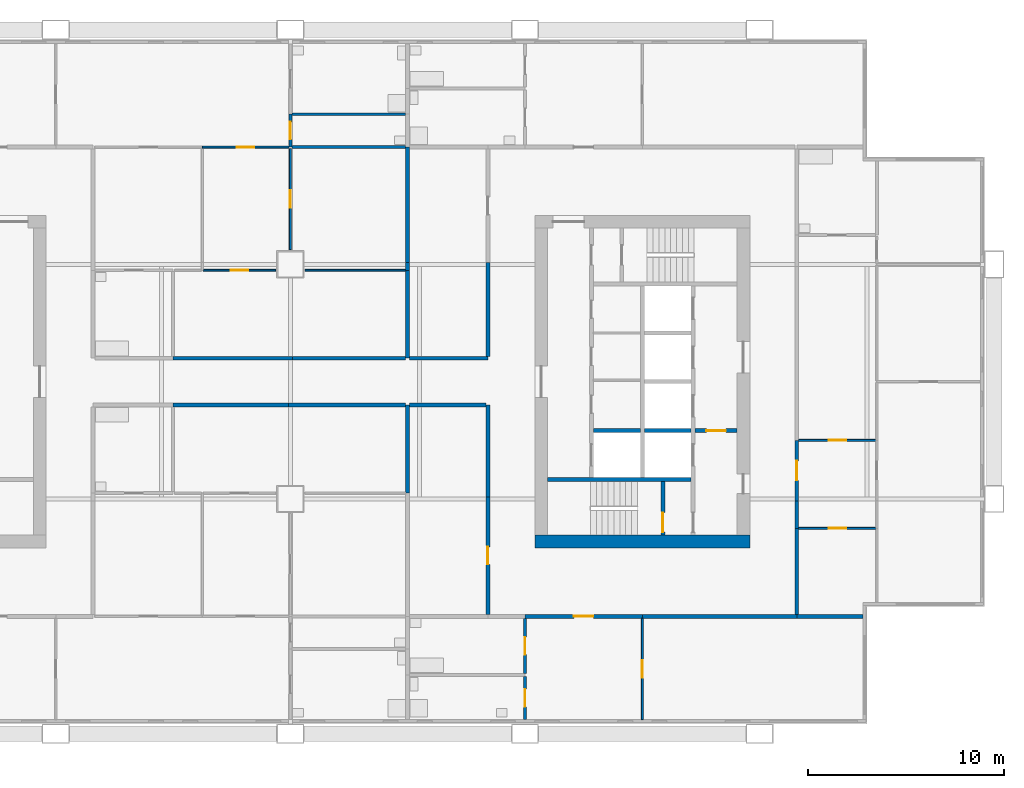
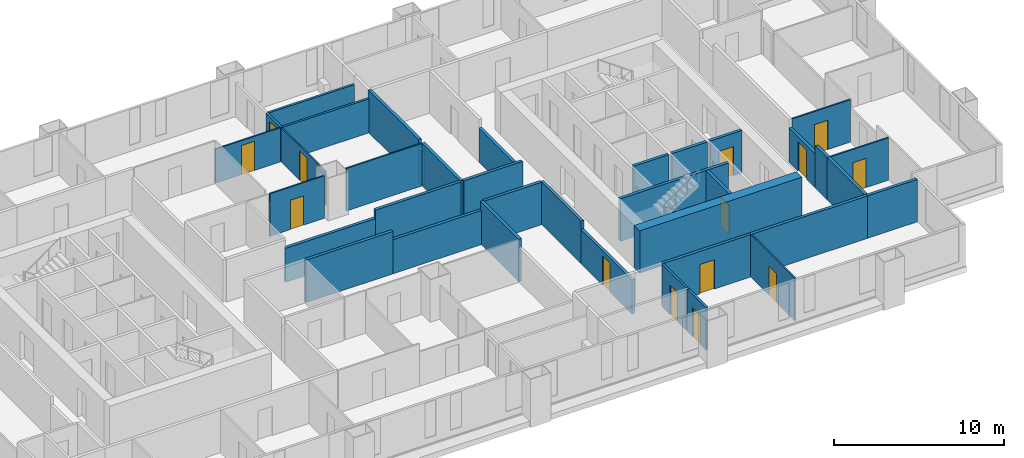
# One storey, part 6 of 11: 37 walls, 14 doors, 14 openings.
"""IFC4 building model written with IfcOpenShell, lengths in metres."""

from ifc_helpers import new_model, si_unit, direction, frame, frame_2d, origin, place, context, subcontext, project, spatial, rectangle, extrude, material, layer, layer_set, type_object, element, fill, save


model = new_model("IFC4")

# Units and contexts
model_context = context("Model", 3, precision=1e-05, world=origin(), true_north=direction((0.0, 1.0)))
body_context = subcontext(model_context, "Body", "Model", "MODEL_VIEW")
ifc_project = project(units=[si_unit("LENGTHUNIT", "METRE"), si_unit("AREAUNIT", "SQUARE_METRE"), si_unit("VOLUMEUNIT", "CUBIC_METRE"), si_unit("PLANEANGLEUNIT", "RADIAN"), si_unit("MASSUNIT", "GRAM", prefix="KILO")], contexts=[model_context])

# Site, building, storey
site_placement = place(None, origin())
site = spatial("IfcSite", under=ifc_project, at=site_placement, CompositionType="ELEMENT")
building_placement = place(site_placement, origin())
building = spatial("IfcBuilding", under=site, at=building_placement, Name="Kitamizu Gate Tower and Museum", CompositionType="ELEMENT")
storey_placement = place(building_placement, frame((0.0, 0.0, 124.199951171875)))
storey = spatial("IfcBuildingStorey", under=building, at=storey_placement, Name="L32", CompositionType="ELEMENT", Elevation=124.199951171875)

# Wall
ifc_material_1 = material(Name="Concrete Fc60", Category="concrete")
ifc_layer_1 = layer(ifc_material_1, 0.64990234375)
ifc_layer_set_1 = layer_set([ifc_layer_1], Name="Concrete Fc60")
wall_type_1 = type_object("IfcWallType", Name="Core wall 650", PredefinedType="SHEAR", material=ifc_layer_set_1)
wall_1_placement = place(storey_placement, frame((59.5, 21.824951171875, 0.0), z_axis=(0.0, 0.0, 1.0), x_axis=(-1.0, 0.0, 0.0)))
element("IfcWall", 1, at=wall_1_placement, inside=storey, type_object=wall_type_1, Name="Core wall ES", PredefinedType="SHEAR", context=body_context, shape_type="SweptSolid", body=[
    extrude(rectangle(XDim=11.0, YDim=0.64990234375, at=frame_2d((5.5, 0.0))), origin(), (0.0, 0.0, 1.0), 3.050048828125),
])

# Wall, opening, door
ifc_material_2 = material(Name="Gypsum board on galvanised stud")
ifc_layer_2 = layer(ifc_material_2, 0.10009765625)
ifc_layer_set_2 = layer_set([ifc_layer_2], Name="Gypsum board on galvanised stud")
wall_type_2 = type_object("IfcWallType", Name="Partition 100 NOT RATED", PredefinedType="PARTITIONING", material=ifc_layer_set_2)
wall_2_placement = place(storey_placement, frame((31.5, 42.0, 0.0), z_axis=(0.0, 0.0, 1.0), x_axis=(1.0, 0.0, 0.0)))
wall_2 = element("IfcWall", 2, at=wall_2_placement, inside=storey, type_object=wall_type_2, Name="Partition L32-063", PredefinedType="PARTITIONING", context=body_context, shape_type="SweptSolid", body=[
    extrude(rectangle(XDim=4.425048828125, YDim=0.10009765625, at=frame_2d((2.21240234375, 0.0))), origin(), (0.0, 0.0, 1.0), 2.449951171875),
])
opening_1_placement = place(wall_2_placement, frame((1.762451171875, 0.0, 0.0)))
opening_1 = element("IfcOpeningElement", 3, at=opening_1_placement, cuts=wall_2, Name="Opening L32-023", PredefinedType="OPENING", context=body_context, shape_type="SweptSolid", body=[
    extrude(rectangle(XDim=0.89990234375, YDim=2.10009765625, at=frame_2d((0.449951171875, 1.050048828125))), frame((0.0, 0.06005859375, 0.0), z_axis=(0.0, -1.0, 0.0), x_axis=(1.0, 0.0, 0.0)), (0.0, 0.0, 1.0), 0.1201171875),
])
ifc_material_3 = material(Name="Timber door set", Category="wood")
door_type_1 = type_object("IfcDoorType", Name="Room door 900", OperationType="NOTDEFINED", PredefinedType="DOOR", material=ifc_material_3)
door_1_placement = place(opening_1_placement, frame((0.89990234375, 0.0, 0.0), x_axis=(-1.0, 0.0, 0.0)))
door_1 = element("IfcDoor", 4, at=door_1_placement, inside=storey, type_object=door_type_1, Name="Door L32-023", OperationType="SINGLE_SWING_LEFT", OverallHeight=2.10009765625, OverallWidth=0.89990234375, PredefinedType="DOOR", context=body_context, shape_type="SweptSolid", body=[
    extrude(rectangle(XDim=0.89990234375, YDim=2.10009765625, at=frame_2d((0.449951171875, 1.050048828125))), frame((0.0, 0.02490234375, 0.0), z_axis=(0.0, -1.0, 0.0), x_axis=(1.0, 0.0, 0.0)), (0.0, 0.0, 1.0), 0.050048828125),
])
fill(opening_1, door_1)

wall_3_placement = place(storey_placement, frame((36.0, 36.75, 0.0), z_axis=(0.0, 0.0, 1.0), x_axis=(0.0, 1.0, 0.0)))
wall_3 = element("IfcWall", 5, at=wall_3_placement, inside=storey, type_object=wall_type_2, Name="Partition L32-075", PredefinedType="PARTITIONING", context=body_context, shape_type="SweptSolid", body=[
    extrude(rectangle(XDim=5.175048828125, YDim=0.10009765625, at=frame_2d((2.58740234375, 0.0))), origin(), (0.0, 0.0, 1.0), 2.449951171875),
])
opening_2_placement = place(wall_3_placement, frame((2.137451171875, 0.0, 0.0)))
opening_2 = element("IfcOpeningElement", 6, at=opening_2_placement, cuts=wall_3, Name="Opening L32-027", PredefinedType="OPENING", context=body_context, shape_type="SweptSolid", body=[
    extrude(rectangle(XDim=0.89990234375, YDim=2.10009765625, at=frame_2d((0.449951171875, 1.050048828125))), frame((0.0, 0.06005859375, 0.0), z_axis=(0.0, -1.0, 0.0), x_axis=(1.0, 0.0, 0.0)), (0.0, 0.0, 1.0), 0.1201171875),
])
door_2_placement = place(opening_2_placement, origin())
door_2 = element("IfcDoor", 7, at=door_2_placement, inside=storey, type_object=door_type_1, Name="Door L32-027", OperationType="SINGLE_SWING_RIGHT", OverallHeight=2.10009765625, OverallWidth=0.89990234375, PredefinedType="DOOR", context=body_context, shape_type="SweptSolid", body=[
    extrude(rectangle(XDim=0.89990234375, YDim=2.10009765625, at=frame_2d((0.449951171875, 1.050048828125))), frame((0.0, 0.02490234375, 0.0), z_axis=(0.0, -1.0, 0.0), x_axis=(1.0, 0.0, 0.0)), (0.0, 0.0, 1.0), 0.050048828125),
])
fill(opening_2, door_2)

wall_4_placement = place(storey_placement, frame((31.550048828125, 35.699951171875, 0.0), z_axis=(0.0, 0.0, 1.0), x_axis=(1.0, 0.0, 0.0)))
wall_4 = element("IfcWall", 8, at=wall_4_placement, inside=storey, type_object=wall_type_2, Name="Partition L32-076", PredefinedType="PARTITIONING", context=body_context, shape_type="SweptSolid", body=[
    extrude(rectangle(XDim=3.699951171875, YDim=0.10009765625, at=frame_2d((1.85009765625, 0.0))), origin(), (0.0, 0.0, 1.0), 3.050048828125),
])
opening_3_placement = place(wall_4_placement, frame((1.39990234375, 0.0, 0.0)))
opening_3 = element("IfcOpeningElement", 9, at=opening_3_placement, cuts=wall_4, Name="Opening L32-029", PredefinedType="OPENING", context=body_context, shape_type="SweptSolid", body=[
    extrude(rectangle(XDim=0.89990234375, YDim=2.10009765625, at=frame_2d((0.449951171875, 1.050048828125))), frame((0.0, 0.06005859375, 0.0), z_axis=(0.0, -1.0, 0.0), x_axis=(1.0, 0.0, 0.0)), (0.0, 0.0, 1.0), 0.1201171875),
])
door_3_placement = place(opening_3_placement, origin())
door_3 = element("IfcDoor", 10, at=door_3_placement, inside=storey, type_object=door_type_1, Name="Door L32-029", OperationType="SINGLE_SWING_RIGHT", OverallHeight=2.10009765625, OverallWidth=0.89990234375, PredefinedType="DOOR", context=body_context, shape_type="SweptSolid", body=[
    extrude(rectangle(XDim=0.89990234375, YDim=2.10009765625, at=frame_2d((0.449951171875, 1.050048828125))), frame((0.0, 0.02490234375, 0.0), z_axis=(0.0, -1.0, 0.0), x_axis=(1.0, 0.0, 0.0)), (0.0, 0.0, 1.0), 0.050048828125),
])
fill(opening_3, door_3)

# Wall
wall_5_placement = place(storey_placement, frame((36.75, 35.699951171875, 0.0), z_axis=(0.0, 0.0, 1.0), x_axis=(1.0, 0.0, 0.0)))
element("IfcWall", 11, at=wall_5_placement, inside=storey, type_object=wall_type_2, Name="Partition L32-077", PredefinedType="PARTITIONING", context=body_context, shape_type="SweptSolid", body=[
    extrude(rectangle(XDim=5.14990234375, YDim=0.10009765625, at=frame_2d((2.574951171875, 0.0))), origin(), (0.0, 0.0, 1.0), 3.050048828125),
])

# Wall, opening, door
wall_6_placement = place(storey_placement, frame((54.0, 12.719970703125, 0.0), z_axis=(0.0, 0.0, 1.0), x_axis=(0.0, 1.0, 0.0)))
wall_6 = element("IfcWall", 12, at=wall_6_placement, inside=storey, type_object=wall_type_2, Name="Partition L32-091", PredefinedType="PARTITIONING", context=body_context, shape_type="SweptSolid", body=[
    extrude(rectangle(XDim=5.179931640625, YDim=0.10009765625, at=frame_2d((2.58984375, 0.0))), origin(), (0.0, 0.0, 1.0), 3.050048828125),
])
opening_4_placement = place(wall_6_placement, frame((2.139892578125, 0.0, 0.0)))
opening_4 = element("IfcOpeningElement", 13, at=opening_4_placement, cuts=wall_6, Name="Opening L32-032", PredefinedType="OPENING", context=body_context, shape_type="SweptSolid", body=[
    extrude(rectangle(XDim=0.89990234375, YDim=2.10009765625, at=frame_2d((0.449951171875, 1.050048828125))), frame((0.0, 0.06005859375, 0.0), z_axis=(0.0, -1.0, 0.0), x_axis=(1.0, 0.0, 0.0)), (0.0, 0.0, 1.0), 0.1201171875),
])
door_4_placement = place(opening_4_placement, frame((0.89990234375, 0.0, 0.0), x_axis=(-1.0, 0.0, 0.0)))
door_4 = element("IfcDoor", 14, at=door_4_placement, inside=storey, type_object=door_type_1, Name="Door L32-032", OperationType="SINGLE_SWING_RIGHT", OverallHeight=2.10009765625, OverallWidth=0.89990234375, PredefinedType="DOOR", context=body_context, shape_type="SweptSolid", body=[
    extrude(rectangle(XDim=0.89990234375, YDim=2.10009765625, at=frame_2d((0.449951171875, 1.050048828125))), frame((0.0, 0.02490234375, 0.0), z_axis=(0.0, -1.0, 0.0), x_axis=(1.0, 0.0, 0.0)), (0.0, 0.0, 1.0), 0.050048828125),
])
fill(opening_4, door_4)

wall_7_placement = place(storey_placement, frame((65.949951171875, 22.5, 0.0), z_axis=(0.0, 0.0, 1.0), x_axis=(-1.0, 0.0, 0.0)))
wall_7 = element("IfcWall", 15, at=wall_7_placement, inside=storey, type_object=wall_type_2, Name="Partition L32-107", PredefinedType="PARTITIONING", context=body_context, shape_type="SweptSolid", body=[
    extrude(rectangle(XDim=3.949951171875, YDim=0.10009765625, at=frame_2d((1.97509765625, 0.0))), origin(), (0.0, 0.0, 1.0), 3.050048828125),
])
opening_5_placement = place(wall_7_placement, frame((1.52490234375, 0.0, 0.0)))
opening_5 = element("IfcOpeningElement", 16, at=opening_5_placement, cuts=wall_7, Name="Opening L32-040", PredefinedType="OPENING", context=body_context, shape_type="SweptSolid", body=[
    extrude(rectangle(XDim=0.89990234375, YDim=2.10009765625, at=frame_2d((0.449951171875, 1.050048828125))), frame((0.0, 0.06005859375, 0.0), z_axis=(0.0, -1.0, 0.0), x_axis=(1.0, 0.0, 0.0)), (0.0, 0.0, 1.0), 0.1201171875),
])
door_5_placement = place(opening_5_placement, origin())
door_5 = element("IfcDoor", 17, at=door_5_placement, inside=storey, type_object=door_type_1, Name="Door L32-040", OperationType="SINGLE_SWING_LEFT", OverallHeight=2.10009765625, OverallWidth=0.89990234375, PredefinedType="DOOR", context=body_context, shape_type="SweptSolid", body=[
    extrude(rectangle(XDim=0.89990234375, YDim=2.10009765625, at=frame_2d((0.449951171875, 1.050048828125))), frame((0.0, 0.02490234375, 0.0), z_axis=(0.0, -1.0, 0.0), x_axis=(1.0, 0.0, 0.0)), (0.0, 0.0, 1.0), 0.050048828125),
])
fill(opening_5, door_5)

wall_8_placement = place(storey_placement, frame((65.949951171875, 27.0, 0.0), z_axis=(0.0, 0.0, 1.0), x_axis=(-1.0, 0.0, 0.0)))
wall_8 = element("IfcWall", 18, at=wall_8_placement, inside=storey, type_object=wall_type_2, Name="Partition L32-109", PredefinedType="PARTITIONING", context=body_context, shape_type="SweptSolid", body=[
    extrude(rectangle(XDim=3.949951171875, YDim=0.10009765625, at=frame_2d((1.97509765625, 0.0))), origin(), (0.0, 0.0, 1.0), 3.050048828125),
])
opening_6_placement = place(wall_8_placement, frame((1.52490234375, 0.0, 0.0)))
opening_6 = element("IfcOpeningElement", 19, at=opening_6_placement, cuts=wall_8, Name="Opening L32-037", PredefinedType="OPENING", context=body_context, shape_type="SweptSolid", body=[
    extrude(rectangle(XDim=0.89990234375, YDim=2.10009765625, at=frame_2d((0.449951171875, 1.050048828125))), frame((0.0, 0.06005859375, 0.0), z_axis=(0.0, -1.0, 0.0), x_axis=(1.0, 0.0, 0.0)), (0.0, 0.0, 1.0), 0.1201171875),
])
door_6_placement = place(opening_6_placement, origin())
door_6 = element("IfcDoor", 20, at=door_6_placement, inside=storey, type_object=door_type_1, Name="Door L32-037", OperationType="SINGLE_SWING_LEFT", OverallHeight=2.10009765625, OverallWidth=0.89990234375, PredefinedType="DOOR", context=body_context, shape_type="SweptSolid", body=[
    extrude(rectangle(XDim=0.89990234375, YDim=2.10009765625, at=frame_2d((0.449951171875, 1.050048828125))), frame((0.0, 0.02490234375, 0.0), z_axis=(0.0, -1.0, 0.0), x_axis=(1.0, 0.0, 0.0)), (0.0, 0.0, 1.0), 0.050048828125),
])
fill(opening_6, door_6)

ifc_material_4 = material(Name="Gypsum board on galvanised stud")
ifc_layer_3 = layer(ifc_material_4, 0.14990234375)
ifc_layer_set_3 = layer_set([ifc_layer_3], Name="Gypsum board on galvanised stud")
wall_type_3 = type_object("IfcWallType", Name="Partition 150", PredefinedType="PARTITIONING", material=ifc_layer_set_3)
wall_9_placement = place(storey_placement, frame((36.0, 42.0, 0.0), z_axis=(0.0, 0.0, 1.0), x_axis=(0.0, 1.0, 0.0)))
wall_9 = element("IfcWall", 21, at=wall_9_placement, inside=storey, type_object=wall_type_3, Name="Partition L32-061", PredefinedType="PARTITIONING", context=body_context, shape_type="SweptSolid", body=[
    extrude(rectangle(XDim=1.679931640625, YDim=0.14990234375, at=frame_2d((0.83984375, 0.0))), origin(), (0.0, 0.0, 1.0), 2.449951171875),
])
opening_7_placement = place(wall_9_placement, frame((0.389892578125, 0.0, 0.0)))
opening_7 = element("IfcOpeningElement", 22, at=opening_7_placement, cuts=wall_9, Name="Opening L32-026", PredefinedType="OPENING", context=body_context, shape_type="SweptSolid", body=[
    extrude(rectangle(XDim=0.89990234375, YDim=2.10009765625, at=frame_2d((0.449951171875, 1.050048828125))), frame((0.0, 0.0849609375, 0.0), z_axis=(0.0, -1.0, 0.0), x_axis=(1.0, 0.0, 0.0)), (0.0, 0.0, 1.0), 0.169921875),
])
ifc_material_5 = material(Name="Timber door set", Category="wood")
door_type_2 = type_object("IfcDoorType", Name="Bathroom door 900", OperationType="NOTDEFINED", PredefinedType="DOOR", material=ifc_material_5)
door_7_placement = place(opening_7_placement, frame((0.89990234375, 0.0, 0.0), x_axis=(-1.0, 0.0, 0.0)))
door_7 = element("IfcDoor", 23, at=door_7_placement, inside=storey, type_object=door_type_2, Name="Bathroom door L32-026", OperationType="SINGLE_SWING_RIGHT", OverallHeight=2.10009765625, OverallWidth=0.89990234375, PredefinedType="DOOR", context=body_context, shape_type="SweptSolid", body=[
    extrude(rectangle(XDim=0.89990234375, YDim=2.10009765625, at=frame_2d((0.449951171875, 1.050048828125))), frame((0.0, 0.02490234375, 0.0), z_axis=(0.0, -1.0, 0.0), x_axis=(1.0, 0.0, 0.0)), (0.0, 0.0, 1.0), 0.050048828125),
])
fill(opening_7, door_7)

# Walls
for number, where, z_axis, x_axis, name in (
    (24, (36.074951171875, 43.679931640625, 0.0), (0.0, 0.0, 1.0), (1.0, 0.0, 0.0), "Partition L32-065"),
    (25, (36.074951171875, 42.0, 0.0), (0.0, 0.0, 1.0), (1.0, 0.0, 0.0), "Partition L32-068"),
):
    element("IfcWall", number, at=place(storey_placement, frame(where, z_axis=z_axis, x_axis=x_axis)), inside=storey, type_object=wall_type_3, Name=name, PredefinedType="PARTITIONING", context=body_context, shape_type="SweptSolid", body=[
        extrude(rectangle(XDim=5.824951171875, YDim=0.14990234375, at=frame_2d((2.91259765625, 0.0))), origin(), (0.0, 0.0, 1.0), 2.449951171875),
    ])

# Wall, opening, door
wall_10_placement = place(storey_placement, frame((48.0, 12.719970703125, 0.0), z_axis=(0.0, 0.0, 1.0), x_axis=(0.0, 1.0, 0.0)))
wall_10 = element("IfcWall", 26, at=wall_10_placement, inside=storey, type_object=wall_type_3, Name="Partition L32-087", PredefinedType="PARTITIONING", context=body_context, shape_type="SweptSolid", body=[
    extrude(rectangle(XDim=2.205078125, YDim=0.14990234375, at=frame_2d((1.1025390625, 0.0))), origin(), (0.0, 0.0, 1.0), 3.050048828125),
])
opening_8_placement = place(wall_10_placement, frame((0.652587890625, 0.0, 0.0)))
opening_8 = element("IfcOpeningElement", 27, at=opening_8_placement, cuts=wall_10, Name="Opening L32-033", PredefinedType="OPENING", context=body_context, shape_type="SweptSolid", body=[
    extrude(rectangle(XDim=0.89990234375, YDim=2.10009765625, at=frame_2d((0.449951171875, 1.050048828125))), frame((0.0, 0.0849609375, 0.0), z_axis=(0.0, -1.0, 0.0), x_axis=(1.0, 0.0, 0.0)), (0.0, 0.0, 1.0), 0.169921875),
])
door_8_placement = place(opening_8_placement, origin())
door_8 = element("IfcDoor", 28, at=door_8_placement, inside=storey, type_object=door_type_2, Name="Bathroom door L32-033", OperationType="SINGLE_SWING_RIGHT", OverallHeight=2.10009765625, OverallWidth=0.89990234375, PredefinedType="DOOR", context=body_context, shape_type="SweptSolid", body=[
    extrude(rectangle(XDim=0.89990234375, YDim=2.10009765625, at=frame_2d((0.449951171875, 1.050048828125))), frame((0.0, 0.02490234375, 0.0), z_axis=(0.0, -1.0, 0.0), x_axis=(1.0, 0.0, 0.0)), (0.0, 0.0, 1.0), 0.050048828125),
])
fill(opening_8, door_8)

wall_11_placement = place(storey_placement, frame((48.0, 15.074951171875, 0.0), z_axis=(0.0, 0.0, 1.0), x_axis=(0.0, 1.0, 0.0)))
wall_11 = element("IfcWall", 29, at=wall_11_placement, inside=storey, type_object=wall_type_3, Name="Partition L32-088", PredefinedType="PARTITIONING", context=body_context, shape_type="SweptSolid", body=[
    extrude(rectangle(XDim=2.824951171875, YDim=0.14990234375, at=frame_2d((1.41259765625, 0.0))), origin(), (0.0, 0.0, 1.0), 3.050048828125),
])
opening_9_placement = place(wall_11_placement, frame((0.96240234375, 0.0, 0.0)))
opening_9 = element("IfcOpeningElement", 30, at=opening_9_placement, cuts=wall_11, Name="Opening L32-034", PredefinedType="OPENING", context=body_context, shape_type="SweptSolid", body=[
    extrude(rectangle(XDim=0.89990234375, YDim=2.10009765625, at=frame_2d((0.449951171875, 1.050048828125))), frame((0.0, 0.0849609375, 0.0), z_axis=(0.0, -1.0, 0.0), x_axis=(1.0, 0.0, 0.0)), (0.0, 0.0, 1.0), 0.169921875),
])
door_9_placement = place(opening_9_placement, origin())
door_9 = element("IfcDoor", 31, at=door_9_placement, inside=storey, type_object=door_type_2, Name="Bathroom door L32-034", OperationType="SINGLE_SWING_LEFT", OverallHeight=2.10009765625, OverallWidth=0.89990234375, PredefinedType="DOOR", context=body_context, shape_type="SweptSolid", body=[
    extrude(rectangle(XDim=0.89990234375, YDim=2.10009765625, at=frame_2d((0.449951171875, 1.050048828125))), frame((0.0, 0.02490234375, 0.0), z_axis=(0.0, -1.0, 0.0), x_axis=(1.0, 0.0, 0.0)), (0.0, 0.0, 1.0), 0.050048828125),
])
fill(opening_9, door_9)

# Walls
ifc_material_6 = material(Name="Gypsum board on galvanised stud")
ifc_layer_4 = layer(ifc_material_6, 0.199951171875)
ifc_layer_set_4 = layer_set([ifc_layer_4], Name="Gypsum board on galvanised stud")
wall_type_4 = type_object("IfcWallType", Name="Partition 200", PredefinedType="PARTITIONING", material=ifc_layer_set_4)
wall_12_placement = place(storey_placement, frame((42.0, 24.300048828125, 0.0), z_axis=(0.0, 0.0, 1.0), x_axis=(0.0, 1.0, 0.0)))
element("IfcWall", 32, at=wall_12_placement, inside=storey, type_object=wall_type_4, Name="Partition L32-031", PredefinedType="PARTITIONING", context=body_context, shape_type="SweptSolid", body=[
    extrude(rectangle(XDim=4.5, YDim=0.199951171875, at=frame_2d((2.25, 0.0))), origin(), (0.0, 0.0, 1.0), 3.050048828125),
])
wall_13_placement = place(storey_placement, frame((41.89990234375, 28.800048828125, 0.0), z_axis=(0.0, 0.0, 1.0), x_axis=(-1.0, 0.0, 0.0)))
element("IfcWall", 33, at=wall_13_placement, inside=storey, type_object=wall_type_4, Name="Partition L32-032", PredefinedType="PARTITIONING", context=body_context, shape_type="SweptSolid", body=[
    extrude(rectangle(XDim=6.0, YDim=0.199951171875, at=frame_2d((3.0, 0.0))), origin(), (0.0, 0.0, 1.0), 2.449951171875),
])
wall_14_placement = place(storey_placement, frame((35.89990234375, 28.800048828125, 0.0), z_axis=(0.0, 0.0, 1.0), x_axis=(-1.0, 0.0, 0.0)))
element("IfcWall", 34, at=wall_14_placement, inside=storey, type_object=wall_type_4, Name="Partition L32-033", PredefinedType="PARTITIONING", context=body_context, shape_type="SweptSolid", body=[
    extrude(rectangle(XDim=5.89990234375, YDim=0.199951171875, at=frame_2d((2.949951171875, 0.0))), origin(), (0.0, 0.0, 1.0), 3.050048828125),
])
wall_15_placement = place(storey_placement, frame((42.0, 35.699951171875, 0.0), z_axis=(0.0, 0.0, 1.0), x_axis=(0.0, 1.0, 0.0)))
element("IfcWall", 35, at=wall_15_placement, inside=storey, type_object=wall_type_4, Name="Partition L32-078", PredefinedType="PARTITIONING", context=body_context, shape_type="SweptSolid", body=[
    extrude(rectangle(XDim=0.400146484375, YDim=0.199951171875, at=frame_2d((0.2001953125, 0.0))), origin(), (0.0, 0.0, 1.0), 2.449951171875),
])
wall_16_placement = place(storey_placement, frame((42.0, 36.10009765625, 0.0), z_axis=(0.0, 0.0, 1.0), x_axis=(0.0, 1.0, 0.0)))
element("IfcWall", 36, at=wall_16_placement, inside=storey, type_object=wall_type_4, Name="Partition L32-079", PredefinedType="PARTITIONING", context=body_context, shape_type="SweptSolid", body=[
    extrude(rectangle(XDim=5.89990234375, YDim=0.199951171875, at=frame_2d((2.949951171875, 0.0))), origin(), (0.0, 0.0, 1.0), 3.050048828125),
])
wall_17_placement = place(storey_placement, frame((42.0, 31.199951171875, 0.0), z_axis=(0.0, 0.0, 1.0), x_axis=(0.0, 1.0, 0.0)))
element("IfcWall", 37, at=wall_17_placement, inside=storey, type_object=wall_type_4, Name="Partition L32-083", PredefinedType="PARTITIONING", context=body_context, shape_type="SweptSolid", body=[
    extrude(rectangle(XDim=4.5, YDim=0.199951171875, at=frame_2d((2.25, 0.0))), origin(), (0.0, 0.0, 1.0), 3.050048828125),
])
wall_18_placement = place(storey_placement, frame((30.0, 31.199951171875, 0.0), z_axis=(0.0, 0.0, 1.0), x_axis=(1.0, 0.0, 0.0)))
element("IfcWall", 38, at=wall_18_placement, inside=storey, type_object=wall_type_4, Name="Partition L32-084", PredefinedType="PARTITIONING", context=body_context, shape_type="SweptSolid", body=[
    extrude(rectangle(XDim=6.10009765625, YDim=0.199951171875, at=frame_2d((3.050048828125, 0.0))), origin(), (0.0, 0.0, 1.0), 2.449951171875),
])
wall_19_placement = place(storey_placement, frame((36.10009765625, 31.199951171875, 0.0), z_axis=(0.0, 0.0, 1.0), x_axis=(1.0, 0.0, 0.0)))
element("IfcWall", 39, at=wall_19_placement, inside=storey, type_object=wall_type_4, Name="Partition L32-085", PredefinedType="PARTITIONING", context=body_context, shape_type="SweptSolid", body=[
    extrude(rectangle(XDim=5.7998046875, YDim=0.199951171875, at=frame_2d((2.89990234375, 0.0))), origin(), (0.0, 0.0, 1.0), 3.050048828125),
])

# Wall, opening, door
wall_20_placement = place(storey_placement, frame((54.0, 18.0, 0.0), z_axis=(0.0, 0.0, 1.0), x_axis=(-1.0, 0.0, 0.0)))
wall_20 = element("IfcWall", 40, at=wall_20_placement, inside=storey, type_object=wall_type_4, Name="Partition L32-092", PredefinedType="PARTITIONING", context=body_context, shape_type="SweptSolid", body=[
    extrude(rectangle(XDim=6.0, YDim=0.199951171875, at=frame_2d((3.0, 0.0))), origin(), (0.0, 0.0, 1.0), 3.050048828125),
])
opening_10_placement = place(wall_20_placement, frame((2.5, 0.0, 0.0)))
opening_10 = element("IfcOpeningElement", 41, at=opening_10_placement, cuts=wall_20, Name="Opening L32-031", PredefinedType="OPENING", context=body_context, shape_type="SweptSolid", body=[
    extrude(rectangle(XDim=1.0, YDim=2.10009765625, at=frame_2d((0.5, 1.050048828125))), frame((0.0, 0.10986328125, 0.0), z_axis=(0.0, -1.0, 0.0), x_axis=(1.0, 0.0, 0.0)), (0.0, 0.0, 1.0), 0.219970703125),
])
ifc_material_7 = material(Name="Timber door set", Category="wood")
door_type_3 = type_object("IfcDoorType", Name="Flat entrance door 1000", OperationType="NOTDEFINED", PredefinedType="DOOR", material=ifc_material_7)
door_10_placement = place(opening_10_placement, origin())
door_10 = element("IfcDoor", 42, at=door_10_placement, inside=storey, type_object=door_type_3, Name="Flat entrance door L32-031", OperationType="SINGLE_SWING_RIGHT", OverallHeight=2.10009765625, OverallWidth=1.0, PredefinedType="DOOR", context=body_context, shape_type="SweptSolid", body=[
    extrude(rectangle(XDim=1.0, YDim=2.10009765625, at=frame_2d((0.5, 1.050048828125))), frame((0.0, 0.02490234375, 0.0), z_axis=(0.0, -1.0, 0.0), x_axis=(1.0, 0.0, 0.0)), (0.0, 0.0, 1.0), 0.050048828125),
])
fill(opening_10, door_10)

# Walls
wall_21_placement = place(storey_placement, frame((65.280029296875, 18.0, 0.0), z_axis=(0.0, 0.0, 1.0), x_axis=(-1.0, 0.0, 0.0)))
element("IfcWall", 43, at=wall_21_placement, inside=storey, type_object=wall_type_4, Name="Partition L32-093", PredefinedType="PARTITIONING", context=body_context, shape_type="SweptSolid", body=[
    extrude(rectangle(XDim=3.380126953125, YDim=0.199951171875, at=frame_2d((1.68994140625, 0.0))), origin(), (0.0, 0.0, 1.0), 3.050048828125),
])
wall_22_placement = place(storey_placement, frame((61.89990234375, 18.0, 0.0), z_axis=(0.0, 0.0, 1.0), x_axis=(-1.0, 0.0, 0.0)))
element("IfcWall", 44, at=wall_22_placement, inside=storey, type_object=wall_type_4, Name="Partition L32-094", PredefinedType="PARTITIONING", context=body_context, shape_type="SweptSolid", body=[
    extrude(rectangle(XDim=7.89990234375, YDim=0.199951171875, at=frame_2d((3.949951171875, 0.0))), origin(), (0.0, 0.0, 1.0), 3.050048828125),
])

# Wall, opening, door
wall_23_placement = place(storey_placement, frame((46.10009765625, 18.10009765625, 0.0), z_axis=(0.0, 0.0, 1.0), x_axis=(0.0, 1.0, 0.0)))
wall_23 = element("IfcWall", 45, at=wall_23_placement, inside=storey, type_object=wall_type_4, Name="Partition L32-095", PredefinedType="PARTITIONING", context=body_context, shape_type="SweptSolid", body=[
    extrude(rectangle(XDim=6.0, YDim=0.199951171875, at=frame_2d((3.0, 0.0))), origin(), (0.0, 0.0, 1.0), 2.449951171875),
])
opening_11_placement = place(wall_23_placement, frame((2.550048828125, 0.0, 0.0)))
opening_11 = element("IfcOpeningElement", 46, at=opening_11_placement, cuts=wall_23, Name="Opening L32-046", PredefinedType="OPENING", context=body_context, shape_type="SweptSolid", body=[
    extrude(rectangle(XDim=0.89990234375, YDim=2.10009765625, at=frame_2d((0.449951171875, 1.050048828125))), frame((0.0, 0.10986328125, 0.0), z_axis=(0.0, -1.0, 0.0), x_axis=(1.0, 0.0, 0.0)), (0.0, 0.0, 1.0), 0.219970703125),
])
door_11_placement = place(opening_11_placement, origin())
door_11 = element("IfcDoor", 47, at=door_11_placement, inside=storey, type_object=door_type_1, Name="Door L32-046", OperationType="SINGLE_SWING_LEFT", OverallHeight=2.10009765625, OverallWidth=0.89990234375, PredefinedType="DOOR", context=body_context, shape_type="SweptSolid", body=[
    extrude(rectangle(XDim=0.89990234375, YDim=2.10009765625, at=frame_2d((0.449951171875, 1.050048828125))), frame((0.0, 0.02490234375, 0.0), z_axis=(0.0, -1.0, 0.0), x_axis=(1.0, 0.0, 0.0)), (0.0, 0.0, 1.0), 0.050048828125),
])
fill(opening_11, door_11)

# Walls
wall_24_placement = place(storey_placement, frame((46.10009765625, 24.10009765625, 0.0), z_axis=(0.0, 0.0, 1.0), x_axis=(0.0, 1.0, 0.0)))
element("IfcWall", 48, at=wall_24_placement, inside=storey, type_object=wall_type_4, Name="Partition L32-096", PredefinedType="PARTITIONING", context=body_context, shape_type="SweptSolid", body=[
    extrude(rectangle(XDim=4.699951171875, YDim=0.199951171875, at=frame_2d((2.35009765625, 0.0))), origin(), (0.0, 0.0, 1.0), 3.050048828125),
])
wall_25_placement = place(storey_placement, frame((46.0, 28.800048828125, 0.0), z_axis=(0.0, 0.0, 1.0), x_axis=(-1.0, 0.0, 0.0)))
element("IfcWall", 49, at=wall_25_placement, inside=storey, type_object=wall_type_4, Name="Partition L32-097", PredefinedType="PARTITIONING", context=body_context, shape_type="SweptSolid", body=[
    extrude(rectangle(XDim=3.89990234375, YDim=0.199951171875, at=frame_2d((1.949951171875, 0.0))), origin(), (0.0, 0.0, 1.0), 3.050048828125),
])
wall_26_placement = place(storey_placement, frame((61.89990234375, 22.5, 0.0), z_axis=(0.0, 0.0, 1.0), x_axis=(0.0, -1.0, 0.0)))
element("IfcWall", 50, at=wall_26_placement, inside=storey, type_object=wall_type_4, Name="Partition L32-108", PredefinedType="PARTITIONING", context=body_context, shape_type="SweptSolid", body=[
    extrude(rectangle(XDim=4.39990234375, YDim=0.199951171875, at=frame_2d((2.199951171875, 0.0))), origin(), (0.0, 0.0, 1.0), 3.050048828125),
])

# Wall, opening, door
wall_27_placement = place(storey_placement, frame((61.89990234375, 27.0, 0.0), z_axis=(0.0, 0.0, 1.0), x_axis=(0.0, -1.0, 0.0)))
wall_27 = element("IfcWall", 51, at=wall_27_placement, inside=storey, type_object=wall_type_4, Name="Partition L32-110", PredefinedType="PARTITIONING", context=body_context, shape_type="SweptSolid", body=[
    extrude(rectangle(XDim=3.10009765625, YDim=0.199951171875, at=frame_2d((1.550048828125, 0.0))), origin(), (0.0, 0.0, 1.0), 2.449951171875),
])
opening_12_placement = place(wall_27_placement, frame((1.050048828125, 0.0, 0.0)))
opening_12 = element("IfcOpeningElement", 52, at=opening_12_placement, cuts=wall_27, Name="Opening L32-035", PredefinedType="OPENING", context=body_context, shape_type="SweptSolid", body=[
    extrude(rectangle(XDim=1.0, YDim=2.10009765625, at=frame_2d((0.5, 1.050048828125))), frame((0.0, 0.10986328125, 0.0), z_axis=(0.0, -1.0, 0.0), x_axis=(1.0, 0.0, 0.0)), (0.0, 0.0, 1.0), 0.219970703125),
])
door_12_placement = place(opening_12_placement, origin())
door_12 = element("IfcDoor", 53, at=door_12_placement, inside=storey, type_object=door_type_3, Name="Flat entrance door L32-035", OperationType="SINGLE_SWING_RIGHT", OverallHeight=2.10009765625, OverallWidth=1.0, PredefinedType="DOOR", context=body_context, shape_type="SweptSolid", body=[
    extrude(rectangle(XDim=1.0, YDim=2.10009765625, at=frame_2d((0.5, 1.050048828125))), frame((0.0, 0.02490234375, 0.0), z_axis=(0.0, -1.0, 0.0), x_axis=(1.0, 0.0, 0.0)), (0.0, 0.0, 1.0), 0.050048828125),
])
fill(opening_12, door_12)

# Walls
wall_28_placement = place(storey_placement, frame((61.89990234375, 23.89990234375, 0.0), z_axis=(0.0, 0.0, 1.0), x_axis=(0.0, -1.0, 0.0)))
element("IfcWall", 54, at=wall_28_placement, inside=storey, type_object=wall_type_4, Name="Partition L32-111", PredefinedType="PARTITIONING", context=body_context, shape_type="SweptSolid", body=[
    extrude(rectangle(XDim=1.39990234375, YDim=0.199951171875, at=frame_2d((0.699951171875, 0.0))), origin(), (0.0, 0.0, 1.0), 3.050048828125),
])
wall_29_placement = place(storey_placement, frame((42.10009765625, 31.199951171875, 0.0), z_axis=(0.0, 0.0, 1.0), x_axis=(1.0, 0.0, 0.0)))
element("IfcWall", 55, at=wall_29_placement, inside=storey, type_object=wall_type_4, Name="Partition L32-125", PredefinedType="PARTITIONING", context=body_context, shape_type="SweptSolid", body=[
    extrude(rectangle(XDim=4.0, YDim=0.199951171875, at=frame_2d((2.0, 0.0))), origin(), (0.0, 0.0, 1.0), 3.050048828125),
])
wall_30_placement = place(storey_placement, frame((46.10009765625, 31.300048828125, 0.0), z_axis=(0.0, 0.0, 1.0), x_axis=(0.0, 1.0, 0.0)))
element("IfcWall", 56, at=wall_30_placement, inside=storey, type_object=wall_type_4, Name="Partition L32-126", PredefinedType="PARTITIONING", context=body_context, shape_type="SweptSolid", body=[
    extrude(rectangle(XDim=4.800048828125, YDim=0.199951171875, at=frame_2d((2.39990234375, 0.0))), origin(), (0.0, 0.0, 1.0), 2.449951171875),
])
ifc_material_8 = material(Name="Concrete Fc42", Category="concrete")
ifc_layer_5 = layer(ifc_material_8, 0.199951171875)
ifc_layer_set_5 = layer_set([ifc_layer_5], Name="Concrete Fc42")
wall_type_5 = type_object("IfcWallType", Name="Shaft wall 200", PredefinedType="SOLIDWALL", material=ifc_layer_set_5)
wall_31_placement = place(storey_placement, frame((56.5, 25.0, 0.0), z_axis=(0.0, 0.0, 1.0), x_axis=(-1.0, 0.0, 0.0)))
element("IfcWall", 57, at=wall_31_placement, inside=storey, type_object=wall_type_5, Name="Shaft wall ESB", PredefinedType="SOLIDWALL", context=body_context, shape_type="SweptSolid", body=[
    extrude(rectangle(XDim=7.35009765625, YDim=0.199951171875, at=frame_2d((3.675048828125, 0.0))), origin(), (0.0, 0.0, 1.0), 3.050048828125),
])

# Wall, opening, door
wall_32_placement = place(storey_placement, frame((58.85009765625, 27.5, 0.0), z_axis=(0.0, 0.0, 1.0), x_axis=(-1.0, 0.0, 0.0)))
wall_32 = element("IfcWall", 58, at=wall_32_placement, inside=storey, type_object=wall_type_5, Name="Shaft wall EFFN", PredefinedType="SOLIDWALL", context=body_context, shape_type="SweptSolid", body=[
    extrude(rectangle(XDim=2.150146484375, YDim=0.199951171875, at=frame_2d((1.0751953125, 0.0))), origin(), (0.0, 0.0, 1.0), 3.050048828125),
])
opening_13_placement = place(wall_32_placement, frame((0.574951171875, 0.0, 0.0)))
opening_13 = element("IfcOpeningElement", 59, at=opening_13_placement, cuts=wall_32, Name="Opening L32-064", PredefinedType="OPENING", context=body_context, shape_type="SweptSolid", body=[
    extrude(rectangle(XDim=1.0, YDim=2.10009765625, at=frame_2d((0.5, 1.050048828125))), frame((0.0, 0.10986328125, 0.0), z_axis=(0.0, -1.0, 0.0), x_axis=(1.0, 0.0, 0.0)), (0.0, 0.0, 1.0), 0.219970703125),
])
ifc_material_9 = material(Name="Hollow metal door set")
door_type_4 = type_object("IfcDoorType", Name="Fire door 1000", OperationType="NOTDEFINED", PredefinedType="DOOR", material=ifc_material_9)
door_13_placement = place(opening_13_placement, origin())
door_13 = element("IfcDoor", 60, at=door_13_placement, inside=storey, type_object=door_type_4, Name="Fire-fighting lobby door L32-064", OperationType="SINGLE_SWING_RIGHT", OverallHeight=2.10009765625, OverallWidth=1.0, PredefinedType="DOOR", context=body_context, shape_type="SweptSolid", body=[
    extrude(rectangle(XDim=1.0, YDim=2.10009765625, at=frame_2d((0.5, 1.050048828125))), frame((0.0, 0.02490234375, 0.0), z_axis=(0.0, -1.0, 0.0), x_axis=(1.0, 0.0, 0.0)), (0.0, 0.0, 1.0), 0.050048828125),
])
fill(opening_13, door_13)

wall_33_placement = place(storey_placement, frame((55.050048828125, 22.14990234375, 0.0), z_axis=(0.0, 0.0, 1.0), x_axis=(0.0, 1.0, 0.0)))
wall_33 = element("IfcWall", 61, at=wall_33_placement, inside=storey, type_object=wall_type_5, Name="Shaft wall ESZ", PredefinedType="SOLIDWALL", context=body_context, shape_type="SweptSolid", body=[
    extrude(rectangle(XDim=2.75, YDim=0.199951171875, at=frame_2d((1.375, 0.0))), origin(), (0.0, 0.0, 1.0), 3.050048828125),
])
opening_14_placement = place(wall_33_placement, frame((0.14990234375, 0.0, 0.0)))
opening_14 = element("IfcOpeningElement", 62, at=opening_14_placement, cuts=wall_33, Name="Opening L32-060", PredefinedType="OPENING", context=body_context, shape_type="SweptSolid", body=[
    extrude(rectangle(XDim=1.0, YDim=2.10009765625, at=frame_2d((0.5, 1.050048828125))), frame((0.0, 0.10986328125, 0.0), z_axis=(0.0, -1.0, 0.0), x_axis=(1.0, 0.0, 0.0)), (0.0, 0.0, 1.0), 0.219970703125),
])
door_14_placement = place(opening_14_placement, origin())
door_14 = element("IfcDoor", 63, at=door_14_placement, inside=storey, type_object=door_type_4, Name="Stair door L32-060", OperationType="SINGLE_SWING_RIGHT", OverallHeight=2.10009765625, OverallWidth=1.0, PredefinedType="DOOR", context=body_context, shape_type="SweptSolid", body=[
    extrude(rectangle(XDim=1.0, YDim=2.10009765625, at=frame_2d((0.5, 1.050048828125))), frame((0.0, 0.02490234375, 0.0), z_axis=(0.0, -1.0, 0.0), x_axis=(1.0, 0.0, 0.0)), (0.0, 0.0, 1.0), 0.050048828125),
])
fill(opening_14, door_14)

# Walls
for number, where, z_axis, x_axis, name in (
    (64, (56.5, 27.5, 0.0), (0.0, 0.0, 1.0), (-1.0, 0.0, 0.0), "Shaft wall EDVW0"),
    (65, (53.89990234375, 27.5, 0.0), (0.0, 0.0, 1.0), (-1.0, 0.0, 0.0), "Shaft wall EDVE0"),
):
    element("IfcWall", number, at=place(storey_placement, frame(where, z_axis=z_axis, x_axis=x_axis)), inside=storey, type_object=wall_type_5, Name=name, PredefinedType="SOLIDWALL", context=body_context, shape_type="SweptSolid", body=[
        extrude(rectangle(XDim=2.39990234375, YDim=0.199951171875, at=frame_2d((1.199951171875, 0.0))), origin(), (0.0, 0.0, 1.0), 3.050048828125),
    ])

save(model, "model.ifc")
